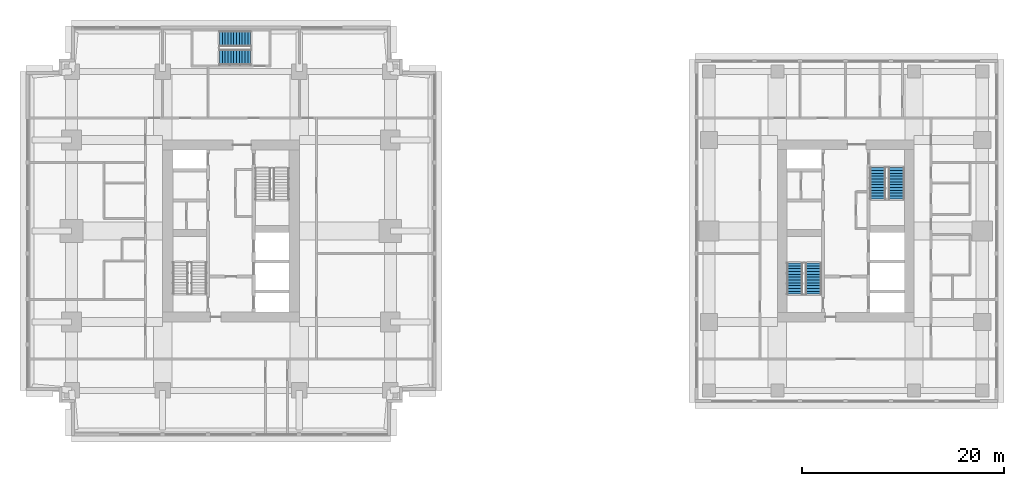
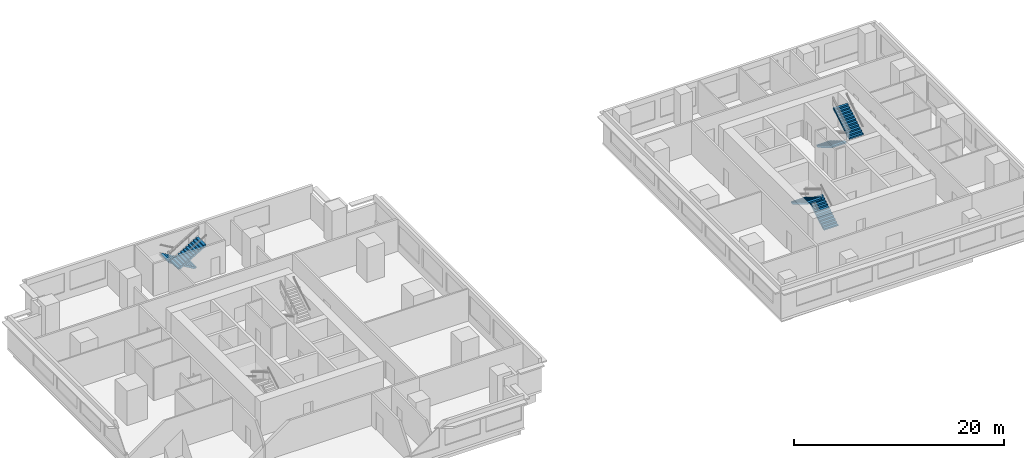
# One storey, part 9 of 11: 6 stair flights, 3 elements without a shape of their own.
"""IFC4 building model written with IfcOpenShell, lengths in metres."""

from ifc_helpers import new_model, si_unit, direction, frame, origin, place, context, subcontext, project, spatial, polyline, outline, extrude, material, type_object, element, aggregate, save


model = new_model("IFC4")

# Units and contexts
model_context = context("Model", 3, precision=1e-05, world=origin(), true_north=direction((0.0, 1.0)))
body_context = subcontext(model_context, "Body", "Model", "MODEL_VIEW")
ifc_project = project(units=[si_unit("LENGTHUNIT", "METRE"), si_unit("AREAUNIT", "SQUARE_METRE"), si_unit("VOLUMEUNIT", "CUBIC_METRE"), si_unit("PLANEANGLEUNIT", "RADIAN"), si_unit("MASSUNIT", "GRAM", prefix="KILO")], contexts=[model_context])

# Site, building, storey
site_placement = place(None, origin())
site = spatial("IfcSite", under=ifc_project, at=site_placement, CompositionType="ELEMENT")
building_placement = place(site_placement, origin())
building = spatial("IfcBuilding", under=site, at=building_placement, Name="Namib Vertical Campus", CompositionType="ELEMENT")
storey_placement = place(building_placement, frame((0.0, 0.0, 205.0)))
storey = spatial("IfcBuildingStorey", under=building, at=storey_placement, Name="L48", CompositionType="ELEMENT", Elevation=205.0)

# Stair, stair flights
ifc_material_1 = material(Name="Concrete C40/50 precast", Category="concrete")
stair_type_1 = type_object("IfcStairType", Name="Exit stair 4000 rise 24 risers 3350 wide", PredefinedType="HALF_TURN_STAIR", material=ifc_material_1)
stair_1_placement = place(storey_placement, origin())
stair_1 = element("IfcStair", 1, at=stair_1_placement, inside=storey, type_object=stair_type_1, Name="Exit stair A-S3 L48", PredefinedType="HALF_TURN_STAIR")
ifc_material_2 = material(Name="Concrete C40/50 precast", Category="concrete")
stair_flight_type_1 = type_object("IfcStairFlightType", Name="Stair flight 12 risers 167 1525 wide", PredefinedType="STRAIGHT", material=ifc_material_2)
stair_flight_1_placement = place(storey_placement, frame((22.199951171875, 39.237548828125, 0.0), z_axis=(0.0, 0.0, 1.0), x_axis=(-1.0, 0.0, 0.0)))
stair_flight_1 = element("IfcStairFlight", 2, at=stair_flight_1_placement, type_object=stair_flight_type_1, Name="A-S3 flight 1", NumberOfRisers=12, NumberOfTreads=11, PredefinedType="STRAIGHT", RiserHeight=0.166666667, TreadLength=0.28, context=body_context, shape_type="SweptSolid", body=[
    extrude(outline(polyline([(0.0, 0.0), (0.0, 0.166748046875), (0.280029296875, 0.166748046875), (0.280029296875, 0.333251953125), (0.56005859375, 0.333251953125), (0.56005859375, 0.5), (0.840087890625, 0.5), (0.840087890625, 0.666748046875), (1.1201171875, 0.666748046875), (1.1201171875, 0.833251953125), (1.39990234375, 0.833251953125), (1.39990234375, 1.0), (1.679931640625, 1.0), (1.679931640625, 1.166748046875), (1.9599609375, 1.166748046875), (1.9599609375, 1.333251953125), (2.239990234375, 1.333251953125), (2.239990234375, 1.5), (2.52001953125, 1.5), (2.52001953125, 1.666748046875), (2.800048828125, 1.666748046875), (2.800048828125, 1.833251953125), (3.080078125, 1.833251953125), (3.080078125, 2.0), (3.080078125, 1.658935546875), (0.29296875, 0.0), (0.0, 0.0)])), frame((0.0, 0.762451171875, 0.0), z_axis=(0.0, -1.0, 0.0), x_axis=(1.0, 0.0, 0.0)), (0.0, 0.0, 1.0), 1.52490234375),
])
stair_flight_2_placement = place(storey_placement, frame((19.1201171875, 37.41259765625, 2.0), z_axis=(0.0, 0.0, 1.0), x_axis=(1.0, 0.0, 0.0)))
stair_flight_2 = element("IfcStairFlight", 3, at=stair_flight_2_placement, type_object=stair_flight_type_1, Name="A-S3 flight 2", NumberOfRisers=12, NumberOfTreads=11, PredefinedType="STRAIGHT", RiserHeight=0.166666667, TreadLength=0.28, context=body_context, shape_type="SweptSolid", body=[
    extrude(outline(polyline([(0.0, 0.0), (0.0, 0.166748046875), (0.280029296875, 0.166748046875), (0.280029296875, 0.333251953125), (0.56005859375, 0.333251953125), (0.56005859375, 0.5), (0.840087890625, 0.5), (0.840087890625, 0.666748046875), (1.1201171875, 0.666748046875), (1.1201171875, 0.833251953125), (1.39990234375, 0.833251953125), (1.39990234375, 1.0), (1.679931640625, 1.0), (1.679931640625, 1.166748046875), (1.9599609375, 1.166748046875), (1.9599609375, 1.333251953125), (2.239990234375, 1.333251953125), (2.239990234375, 1.5), (2.52001953125, 1.5), (2.52001953125, 1.666748046875), (2.800048828125, 1.666748046875), (2.800048828125, 1.833251953125), (3.080078125, 1.833251953125), (3.080078125, 2.0), (3.080078125, 1.658935546875), (0.29296875, 0.0), (0.0, 0.0)])), frame((0.0, 0.762451171875, 0.0), z_axis=(0.0, -1.0, 0.0), x_axis=(1.0, 0.0, 0.0)), (0.0, 0.0, 1.0), 1.52490234375),
])
aggregate(stair_1, [stair_flight_1, stair_flight_2])

ifc_material_3 = material(Name="Concrete C40/50 precast", Category="concrete")
stair_type_2 = type_object("IfcStairType", Name="Exit stair 4000 rise 24 risers 3400 wide", PredefinedType="HALF_TURN_STAIR", material=ifc_material_3)
stair_2_placement = place(storey_placement, origin())
stair_2 = element("IfcStair", 4, at=stair_2_placement, inside=storey, type_object=stair_type_2, Name="Exit stair B-S1 L48", PredefinedType="HALF_TURN_STAIR")
ifc_material_4 = material(Name="Concrete C40/50 precast", Category="concrete")
stair_flight_type_2 = type_object("IfcStairFlightType", Name="Stair flight 12 risers 167 1550 wide", PredefinedType="STRAIGHT", material=ifc_material_4)
stair_flight_3_placement = place(storey_placement, frame((77.824951171875, 14.0, 0.0), z_axis=(0.0, 0.0, 1.0), x_axis=(0.0, 1.0, 0.0)))
stair_flight_3 = element("IfcStairFlight", 5, at=stair_flight_3_placement, type_object=stair_flight_type_2, Name="B-S1 flight 1", NumberOfRisers=12, NumberOfTreads=11, PredefinedType="STRAIGHT", RiserHeight=0.166666667, TreadLength=0.28, context=body_context, shape_type="SweptSolid", body=[
    extrude(outline(polyline([(0.0, 0.0), (0.0, 0.166748046875), (0.280029296875, 0.166748046875), (0.280029296875, 0.333251953125), (0.56005859375, 0.333251953125), (0.56005859375, 0.5), (0.840087890625, 0.5), (0.840087890625, 0.666748046875), (1.1201171875, 0.666748046875), (1.1201171875, 0.833251953125), (1.39990234375, 0.833251953125), (1.39990234375, 1.0), (1.679931640625, 1.0), (1.679931640625, 1.166748046875), (1.9599609375, 1.166748046875), (1.9599609375, 1.333251953125), (2.239990234375, 1.333251953125), (2.239990234375, 1.5), (2.52001953125, 1.5), (2.52001953125, 1.666748046875), (2.800048828125, 1.666748046875), (2.800048828125, 1.833251953125), (3.080078125, 1.833251953125), (3.080078125, 2.0), (3.080078125, 1.658935546875), (0.29296875, 0.0), (0.0, 0.0)])), frame((0.0, 0.77490234375, 0.0), z_axis=(0.0, -1.0, 0.0), x_axis=(1.0, 0.0, 0.0)), (0.0, 0.0, 1.0), 1.550048828125),
])
stair_flight_4_placement = place(storey_placement, frame((75.97509765625, 17.080078125, 2.0), z_axis=(0.0, 0.0, 1.0), x_axis=(0.0, -1.0, 0.0)))
stair_flight_4 = element("IfcStairFlight", 6, at=stair_flight_4_placement, type_object=stair_flight_type_2, Name="B-S1 flight 2", NumberOfRisers=12, NumberOfTreads=11, PredefinedType="STRAIGHT", RiserHeight=0.166666667, TreadLength=0.28, context=body_context, shape_type="SweptSolid", body=[
    extrude(outline(polyline([(0.0, 0.0), (0.0, 0.166748046875), (0.280029296875, 0.166748046875), (0.280029296875, 0.333251953125), (0.56005859375, 0.333251953125), (0.56005859375, 0.5), (0.840087890625, 0.5), (0.840087890625, 0.666748046875), (1.1201171875, 0.666748046875), (1.1201171875, 0.833251953125), (1.39990234375, 0.833251953125), (1.39990234375, 1.0), (1.679931640625, 1.0), (1.679931640625, 1.166748046875), (1.9599609375, 1.166748046875), (1.9599609375, 1.333251953125), (2.239990234375, 1.333251953125), (2.239990234375, 1.5), (2.52001953125, 1.5), (2.52001953125, 1.666748046875), (2.800048828125, 1.666748046875), (2.800048828125, 1.833251953125), (3.080078125, 1.833251953125), (3.080078125, 2.0), (3.080078125, 1.658935546875), (0.29296875, 0.0), (0.0, 0.0)])), frame((0.0, 0.77490234375, 0.0), z_axis=(0.0, -1.0, 0.0), x_axis=(1.0, 0.0, 0.0)), (0.0, 0.0, 1.0), 1.550048828125),
])
aggregate(stair_2, [stair_flight_3, stair_flight_4])

stair_3_placement = place(storey_placement, origin())
stair_3 = element("IfcStair", 7, at=stair_3_placement, inside=storey, type_object=stair_type_2, Name="Exit stair B-S2 L48", PredefinedType="HALF_TURN_STAIR")
stair_flight_5_placement = place(storey_placement, frame((84.175048828125, 26.5, 0.0), z_axis=(0.0, 0.0, 1.0), x_axis=(0.0, -1.0, 0.0)))
stair_flight_5 = element("IfcStairFlight", 8, at=stair_flight_5_placement, type_object=stair_flight_type_2, Name="B-S2 flight 1", NumberOfRisers=12, NumberOfTreads=11, PredefinedType="STRAIGHT", RiserHeight=0.166666667, TreadLength=0.28, context=body_context, shape_type="SweptSolid", body=[
    extrude(outline(polyline([(0.0, 0.0), (0.0, 0.166748046875), (0.280029296875, 0.166748046875), (0.280029296875, 0.333251953125), (0.56005859375, 0.333251953125), (0.56005859375, 0.5), (0.840087890625, 0.5), (0.840087890625, 0.666748046875), (1.1201171875, 0.666748046875), (1.1201171875, 0.833251953125), (1.39990234375, 0.833251953125), (1.39990234375, 1.0), (1.679931640625, 1.0), (1.679931640625, 1.166748046875), (1.9599609375, 1.166748046875), (1.9599609375, 1.333251953125), (2.239990234375, 1.333251953125), (2.239990234375, 1.5), (2.52001953125, 1.5), (2.52001953125, 1.666748046875), (2.800048828125, 1.666748046875), (2.800048828125, 1.833251953125), (3.080078125, 1.833251953125), (3.080078125, 2.0), (3.080078125, 1.658935546875), (0.29296875, 0.0), (0.0, 0.0)])), frame((0.0, 0.77490234375, 0.0), z_axis=(0.0, -1.0, 0.0), x_axis=(1.0, 0.0, 0.0)), (0.0, 0.0, 1.0), 1.550048828125),
])
stair_flight_6_placement = place(storey_placement, frame((86.02490234375, 23.419921875, 2.0), z_axis=(0.0, 0.0, 1.0), x_axis=(0.0, 1.0, 0.0)))
stair_flight_6 = element("IfcStairFlight", 9, at=stair_flight_6_placement, type_object=stair_flight_type_2, Name="B-S2 flight 2", NumberOfRisers=12, NumberOfTreads=11, PredefinedType="STRAIGHT", RiserHeight=0.166666667, TreadLength=0.28, context=body_context, shape_type="SweptSolid", body=[
    extrude(outline(polyline([(0.0, 0.0), (0.0, 0.166748046875), (0.280029296875, 0.166748046875), (0.280029296875, 0.333251953125), (0.56005859375, 0.333251953125), (0.56005859375, 0.5), (0.840087890625, 0.5), (0.840087890625, 0.666748046875), (1.1201171875, 0.666748046875), (1.1201171875, 0.833251953125), (1.39990234375, 0.833251953125), (1.39990234375, 1.0), (1.679931640625, 1.0), (1.679931640625, 1.166748046875), (1.9599609375, 1.166748046875), (1.9599609375, 1.333251953125), (2.239990234375, 1.333251953125), (2.239990234375, 1.5), (2.52001953125, 1.5), (2.52001953125, 1.666748046875), (2.800048828125, 1.666748046875), (2.800048828125, 1.833251953125), (3.080078125, 1.833251953125), (3.080078125, 2.0), (3.080078125, 1.658935546875), (0.29296875, 0.0), (0.0, 0.0)])), frame((0.0, 0.77490234375, 0.0), z_axis=(0.0, -1.0, 0.0), x_axis=(1.0, 0.0, 0.0)), (0.0, 0.0, 1.0), 1.550048828125),
])
aggregate(stair_3, [stair_flight_5, stair_flight_6])

save(model, "model.ifc")
